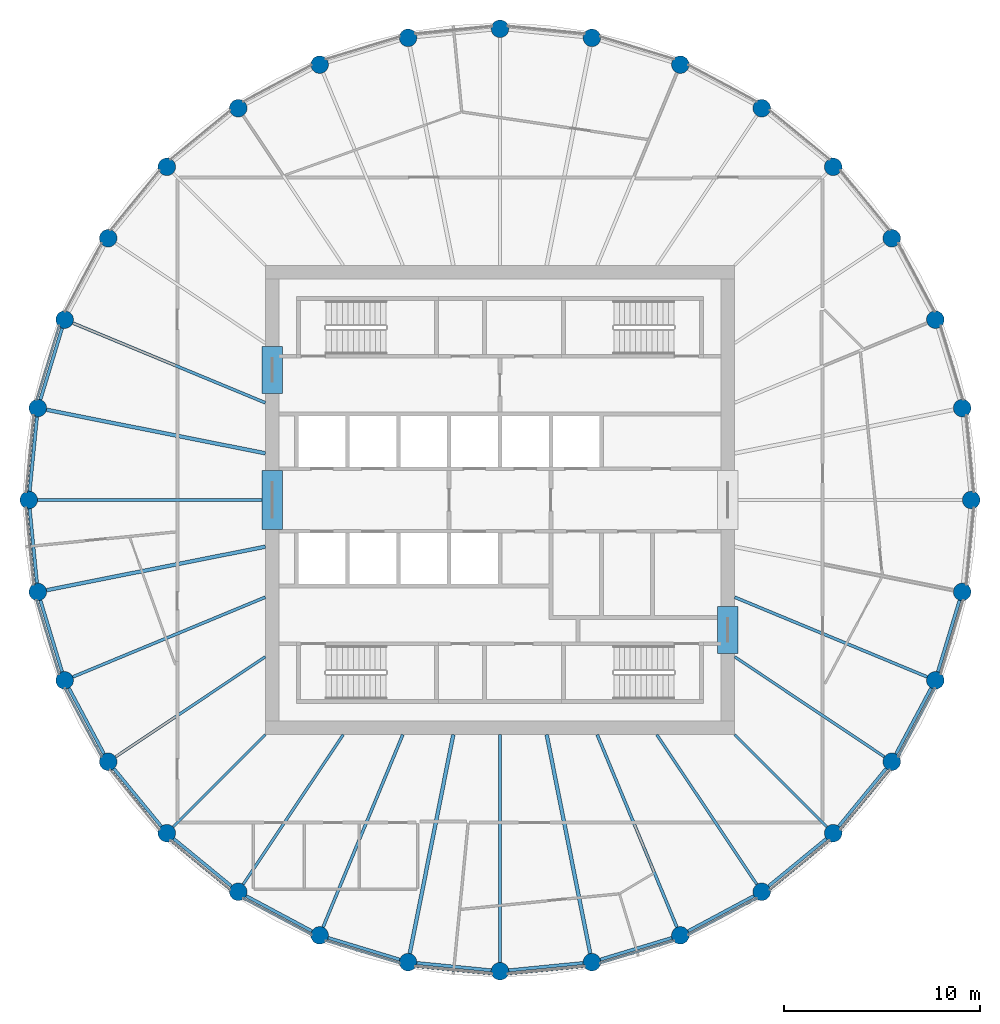
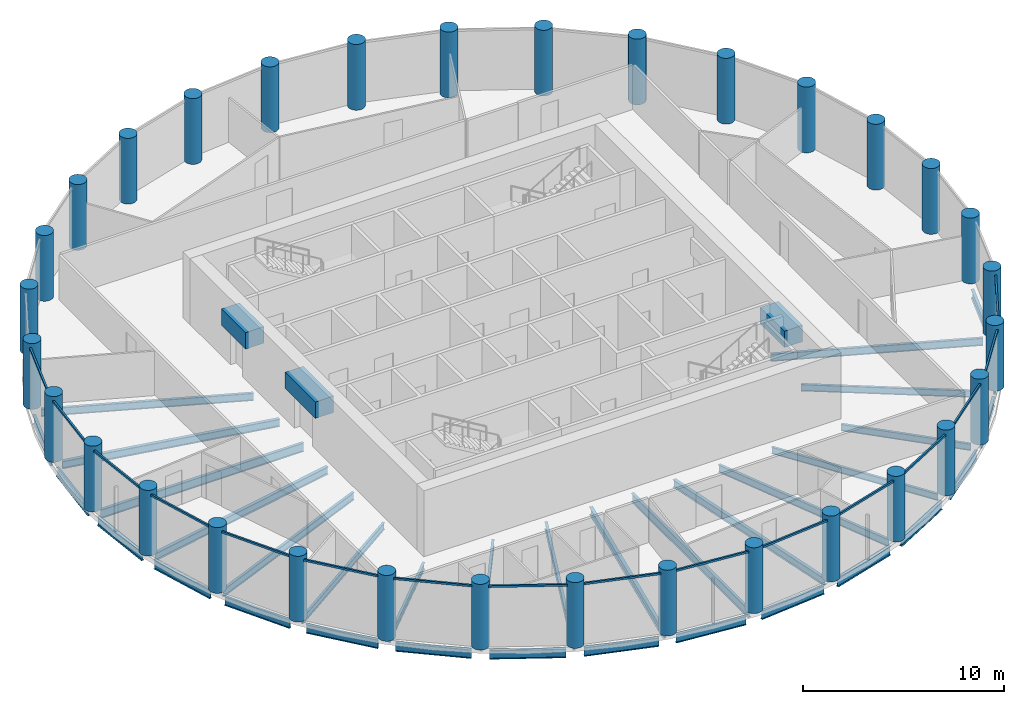
# One storey, part 1 of 8: 37 beams, 32 columns, 16 members, 16 elements without a shape of their own.
"""IFC4 building model written with IfcOpenShell, lengths in metres."""

from ifc_helpers import new_model, si_unit, direction, frame, origin, origin_2d, place, context, subcontext, project, spatial, rectangle, circle, i_section, extrude, material, material_profile, profile_set, type_object, element, aggregate, save


model = new_model("IFC4")

# Units and contexts
model_context = context("Model", 3, precision=1e-05, world=origin(), true_north=direction((0.0, 1.0)))
body_context = subcontext(model_context, "Body", "Model", "MODEL_VIEW")
ifc_project = project(units=[si_unit("LENGTHUNIT", "METRE"), si_unit("AREAUNIT", "SQUARE_METRE"), si_unit("VOLUMEUNIT", "CUBIC_METRE"), si_unit("PLANEANGLEUNIT", "RADIAN"), si_unit("MASSUNIT", "GRAM", prefix="KILO")], contexts=[model_context])

# Site, building, storey
site_placement = place(None, origin())
site = spatial("IfcSite", under=ifc_project, at=site_placement, CompositionType="ELEMENT")
building_placement = place(site_placement, origin())
building = spatial("IfcBuilding", under=site, at=building_placement, Name="Corvane Civic Tower", CompositionType="ELEMENT")
storey_placement = place(building_placement, frame((0.0, 0.0, 299.0)))
storey = spatial("IfcBuildingStorey", under=building, at=storey_placement, Name="L71", CompositionType="ELEMENT", Elevation=299.0)

# Columns
ifc_material_1 = material(Name="Concrete C60/75", Category="concrete")
ifc_material_profile_1 = material_profile(ifc_material_1, circle(Radius=0.449951171875, at=origin_2d()), Name="COLUMN 900")
ifc_profile_set_1 = profile_set([ifc_material_profile_1], Name="Concrete C60/75")
column_type = type_object("IfcColumnType", Name="RC COLUMN COLUMN 900", PredefinedType="COLUMN", material=ifc_profile_set_1)
for number, where, z_axis, x_axis, name in (
    (1, (0.0, 24.10009765625, 0.0), (0.0, 0.0, 1.0), (1.0, 0.0, 0.0), "COL-L71-E01"),
    (2, (4.70166015625, 23.636962890625, 0.0), (0.0, 0.0, 1.0), (1.0, 0.0, 0.0), "COL-L71-E02"),
    (3, (9.22265625, 22.265380859375, 0.0), (0.0, 0.0, 1.0), (1.0, 0.0, 0.0), "COL-L71-E03"),
    (4, (13.38916015625, 20.038330078125, 0.0), (0.0, 0.0, 1.0), (1.0, 0.0, 0.0), "COL-L71-E04"),
    (5, (17.041259765625, 17.041259765625, 0.0), (0.0, 0.0, 1.0), (1.0, 0.0, 0.0), "COL-L71-E05"),
    (6, (20.038330078125, 13.38916015625, 0.0), (0.0, 0.0, 1.0), (1.0, 0.0, 0.0), "COL-L71-E06"),
    (7, (22.265380859375, 9.22265625, 0.0), (0.0, 0.0, 1.0), (1.0, 0.0, 0.0), "COL-L71-E07"),
    (8, (23.636962890625, 4.70166015625, 0.0), (0.0, 0.0, 1.0), (1.0, 0.0, 0.0), "COL-L71-E08"),
    (9, (24.10009765625, 0.0, 0.0), (0.0, 0.0, 1.0), (1.0, 0.0, 0.0), "COL-L71-E09"),
    (10, (23.636962890625, -4.70166015625, 0.0), (0.0, 0.0, 1.0), (1.0, 0.0, 0.0), "COL-L71-E10"),
    (11, (22.265380859375, -9.22265625, 0.0), (0.0, 0.0, 1.0), (1.0, 0.0, 0.0), "COL-L71-E11"),
    (12, (20.038330078125, -13.38916015625, 0.0), (0.0, 0.0, 1.0), (1.0, 0.0, 0.0), "COL-L71-E12"),
    (13, (17.041259765625, -17.041259765625, 0.0), (0.0, 0.0, 1.0), (1.0, 0.0, 0.0), "COL-L71-E13"),
    (14, (13.38916015625, -20.038330078125, 0.0), (0.0, 0.0, 1.0), (1.0, 0.0, 0.0), "COL-L71-E14"),
    (15, (9.22265625, -22.265380859375, 0.0), (0.0, 0.0, 1.0), (1.0, 0.0, 0.0), "COL-L71-E15"),
    (16, (4.70166015625, -23.636962890625, 0.0), (0.0, 0.0, 1.0), (1.0, 0.0, 0.0), "COL-L71-E16"),
    (17, (0.0, -24.10009765625, 0.0), (0.0, 0.0, 1.0), (1.0, 0.0, 0.0), "COL-L71-E17"),
    (18, (-4.70166015625, -23.636962890625, 0.0), (0.0, 0.0, 1.0), (1.0, 0.0, 0.0), "COL-L71-E18"),
    (19, (-9.22265625, -22.265380859375, 0.0), (0.0, 0.0, 1.0), (1.0, 0.0, 0.0), "COL-L71-E19"),
    (20, (-13.38916015625, -20.038330078125, 0.0), (0.0, 0.0, 1.0), (1.0, 0.0, 0.0), "COL-L71-E20"),
    (21, (-17.041259765625, -17.041259765625, 0.0), (0.0, 0.0, 1.0), (1.0, 0.0, 0.0), "COL-L71-E21"),
    (22, (-20.038330078125, -13.38916015625, 0.0), (0.0, 0.0, 1.0), (1.0, 0.0, 0.0), "COL-L71-E22"),
    (23, (-22.265380859375, -9.22265625, 0.0), (0.0, 0.0, 1.0), (1.0, 0.0, 0.0), "COL-L71-E23"),
    (24, (-23.636962890625, -4.70166015625, 0.0), (0.0, 0.0, 1.0), (1.0, 0.0, 0.0), "COL-L71-E24"),
    (25, (-24.10009765625, 0.0, 0.0), (0.0, 0.0, 1.0), (1.0, 0.0, 0.0), "COL-L71-E25"),
    (26, (-23.636962890625, 4.70166015625, 0.0), (0.0, 0.0, 1.0), (1.0, 0.0, 0.0), "COL-L71-E26"),
    (27, (-22.265380859375, 9.22265625, 0.0), (0.0, 0.0, 1.0), (1.0, 0.0, 0.0), "COL-L71-E27"),
    (28, (-20.038330078125, 13.38916015625, 0.0), (0.0, 0.0, 1.0), (1.0, 0.0, 0.0), "COL-L71-E28"),
    (29, (-17.041259765625, 17.041259765625, 0.0), (0.0, 0.0, 1.0), (1.0, 0.0, 0.0), "COL-L71-E29"),
    (30, (-13.38916015625, 20.038330078125, 0.0), (0.0, 0.0, 1.0), (1.0, 0.0, 0.0), "COL-L71-E30"),
    (31, (-9.22265625, 22.265380859375, 0.0), (0.0, 0.0, 1.0), (1.0, 0.0, 0.0), "COL-L71-E31"),
    (32, (-4.70166015625, 23.636962890625, 0.0), (0.0, 0.0, 1.0), (1.0, 0.0, 0.0), "COL-L71-E32"),
):
    element("IfcColumn", number, at=place(storey_placement, frame(where, z_axis=z_axis, x_axis=x_axis)), inside=storey, type_object=column_type, Name=name, PredefinedType="COLUMN", context=body_context, shape_type="SweptSolid", body=[
        extrude(circle(Radius=0.449951171875, at=origin_2d()), origin(), (0.0, 0.0, 1.0), 4.0),
    ])

# Beams
ifc_material_2 = material(Name="Concrete C40/50", Category="concrete")
ifc_material_profile_2 = material_profile(ifc_material_2, rectangle(XDim=1.050048828125, YDim=1.0, at=origin_2d()), Name="COUPLING BEAM 1050X1000")
ifc_profile_set_2 = profile_set([ifc_material_profile_2], Name="Concrete C40/50")
beam_type_1 = type_object("IfcBeamType", Name="COUPLING BEAM COUPLING BEAM 1050X1000", PredefinedType="BEAM", material=ifc_profile_set_2)
beam_1_placement = place(storey_placement, frame((-11.64990234375, -1.5, 2.60009765625), z_axis=(0.0, 1.0, 0.0), x_axis=(-1.0, 0.0, 0.0)))
element("IfcBeam", 33, at=beam_1_placement, inside=storey, type_object=beam_type_1, Name="BM-L71-cpl-CW-LW", PredefinedType="BEAM", context=body_context, shape_type="SweptSolid", body=[
    extrude(rectangle(XDim=1.050048828125, YDim=1.0, at=origin_2d()), origin(), (0.0, 0.0, 1.0), 3.0),
])
for number, where, z_axis, x_axis, name in (
    (34, (-11.64990234375, 5.449951171875, 2.60009765625), (0.0, 1.0, 0.0), (-1.0, 0.0, 0.0), "BM-L71-cpl-CW-WN"),
    (35, (11.64990234375, -7.85009765625, 2.60009765625), (0.0, 1.0, 0.0), (-1.0, 0.0, 0.0), "BM-L71-cpl-CW-ES"),
):
    element("IfcBeam", number, at=place(storey_placement, frame(where, z_axis=z_axis, x_axis=x_axis)), inside=storey, type_object=beam_type_1, Name=name, PredefinedType="BEAM", context=body_context, shape_type="SweptSolid", body=[
        extrude(rectangle(XDim=1.050048828125, YDim=1.0, at=origin_2d()), origin(), (0.0, 0.0, 1.0), 2.400146484375),
    ])
ifc_material_3 = material(Name="Steel ASTM A992 Gr 50", Category="steel")
ifc_material_profile_3 = material_profile(ifc_material_3, i_section(OverallWidth=0.165771484375, OverallDepth=0.5283203125, WebThickness=0.009765625, FlangeThickness=0.013671875, at=origin_2d()), Name="W21X50")
ifc_profile_set_3 = profile_set([ifc_material_profile_3], Name="Steel ASTM A992 Gr 50")
beam_type_2 = type_object("IfcBeamType", Name="EDGE BEAM W21X50", PredefinedType="BEAM", material=ifc_profile_set_3)
beam_2_placement = place(storey_placement, frame((23.50634765625, -5.13232421875, -0.564208984375), z_axis=(-0.290333385085, -0.95692555902, 0.0), x_axis=(0.95692555902, -0.290333385085, 0.0)))
element("IfcBeam", 36, at=beam_2_placement, inside=storey, type_object=beam_type_2, Name="BM-L71-E10", PredefinedType="BEAM", context=body_context, shape_type="SweptSolid", body=[
    extrude(i_section(OverallWidth=0.165771484375, OverallDepth=0.5283203125, WebThickness=0.009765625, FlangeThickness=0.013671875, at=origin_2d()), origin(), (0.0, 0.0, 1.0), 3.824462890625),
])
beam_3_placement = place(storey_placement, frame((22.05322265625, -9.61962890625, -0.564208984375), z_axis=(-0.471409804487, -0.881914279413, 0.0), x_axis=(0.881914279413, -0.471409804487, 0.0)))
element("IfcBeam", 37, at=beam_3_placement, inside=storey, type_object=beam_type_2, Name="BM-L71-E11", PredefinedType="BEAM", context=body_context, shape_type="SweptSolid", body=[
    extrude(i_section(OverallWidth=0.165771484375, OverallDepth=0.5283203125, WebThickness=0.009765625, FlangeThickness=0.013671875, at=origin_2d()), origin(), (0.0, 0.0, 1.0), 3.82421875),
])
for number, where, z_axis, x_axis, name in (
    (38, (19.7529296875, -13.737060546875, -0.564208984375), (-0.634408562057, -0.772997914867, 0.0), (0.772997914867, -0.634408562057, 0.0), "BM-L71-E12"),
    (39, (16.693359375, -17.32666015625, -0.564208984375), (-0.772997914867, -0.634408562057, 0.0), (0.634408562057, -0.772997914867, 0.0), "BM-L71-E13"),
):
    element("IfcBeam", number, at=place(storey_placement, frame(where, z_axis=z_axis, x_axis=x_axis)), inside=storey, type_object=beam_type_2, Name=name, PredefinedType="BEAM", context=body_context, shape_type="SweptSolid", body=[
        extrude(i_section(OverallWidth=0.165771484375, OverallDepth=0.5283203125, WebThickness=0.009765625, FlangeThickness=0.013671875, at=origin_2d()), origin(), (0.0, 0.0, 1.0), 3.824462890625),
    ])
beam_4_placement = place(storey_placement, frame((12.9921875, -20.25048828125, -0.564208984375), z_axis=(-0.881914279413, -0.471409804487, 0.0), x_axis=(0.471409804487, -0.881914279413, 0.0)))
element("IfcBeam", 40, at=beam_4_placement, inside=storey, type_object=beam_type_2, Name="BM-L71-E14", PredefinedType="BEAM", context=body_context, shape_type="SweptSolid", body=[
    extrude(i_section(OverallWidth=0.165771484375, OverallDepth=0.5283203125, WebThickness=0.009765625, FlangeThickness=0.013671875, at=origin_2d()), origin(), (0.0, 0.0, 1.0), 3.82421875),
])
for number, where, z_axis, x_axis, name in (
    (41, (8.7919921875, -22.39599609375, -0.564208984375), (-0.95692555902, -0.290333385085, 0.0), (0.290333385085, -0.95692555902, 0.0), "BM-L71-E15"),
    (42, (4.25390625, -23.68115234375, -0.564208984375), (-0.995187721162, -0.097986732007, 0.0), (0.097986732007, -0.995187721162, 0.0), "BM-L71-E16"),
    (43, (-0.44775390625, -24.055908203125, -0.564208984375), (-0.995187721162, 0.097986732007, 0.0), (-0.097986732007, -0.995187721162, 0.0), "BM-L71-E17"),
    (44, (-5.13232421875, -23.50634765625, -0.564208984375), (-0.95692555902, 0.290333385085, 0.0), (-0.290333385085, -0.95692555902, 0.0), "BM-L71-E18"),
):
    element("IfcBeam", number, at=place(storey_placement, frame(where, z_axis=z_axis, x_axis=x_axis)), inside=storey, type_object=beam_type_2, Name=name, PredefinedType="BEAM", context=body_context, shape_type="SweptSolid", body=[
        extrude(i_section(OverallWidth=0.165771484375, OverallDepth=0.5283203125, WebThickness=0.009765625, FlangeThickness=0.013671875, at=origin_2d()), origin(), (0.0, 0.0, 1.0), 3.824462890625),
    ])
beam_5_placement = place(storey_placement, frame((-9.61962890625, -22.05322265625, -0.564208984375), z_axis=(-0.881914279413, 0.471409804487, 0.0), x_axis=(-0.471409804487, -0.881914279413, 0.0)))
element("IfcBeam", 45, at=beam_5_placement, inside=storey, type_object=beam_type_2, Name="BM-L71-E19", PredefinedType="BEAM", context=body_context, shape_type="SweptSolid", body=[
    extrude(i_section(OverallWidth=0.165771484375, OverallDepth=0.5283203125, WebThickness=0.009765625, FlangeThickness=0.013671875, at=origin_2d()), origin(), (0.0, 0.0, 1.0), 3.82421875),
])
for number, where, z_axis, x_axis, name in (
    (46, (-13.737060546875, -19.7529296875, -0.564208984375), (-0.772997914867, 0.634408562057, 0.0), (-0.634408562057, -0.772997914867, 0.0), "BM-L71-E20"),
    (47, (-17.32666015625, -16.693359375, -0.564208984375), (-0.634408562057, 0.772997914867, 0.0), (-0.772997914867, -0.634408562057, 0.0), "BM-L71-E21"),
):
    element("IfcBeam", number, at=place(storey_placement, frame(where, z_axis=z_axis, x_axis=x_axis)), inside=storey, type_object=beam_type_2, Name=name, PredefinedType="BEAM", context=body_context, shape_type="SweptSolid", body=[
        extrude(i_section(OverallWidth=0.165771484375, OverallDepth=0.5283203125, WebThickness=0.009765625, FlangeThickness=0.013671875, at=origin_2d()), origin(), (0.0, 0.0, 1.0), 3.824462890625),
    ])
beam_6_placement = place(storey_placement, frame((-20.25048828125, -12.9921875, -0.564208984375), z_axis=(-0.471409804487, 0.881914279413, 0.0), x_axis=(-0.881914279413, -0.471409804487, 0.0)))
element("IfcBeam", 48, at=beam_6_placement, inside=storey, type_object=beam_type_2, Name="BM-L71-E22", PredefinedType="BEAM", context=body_context, shape_type="SweptSolid", body=[
    extrude(i_section(OverallWidth=0.165771484375, OverallDepth=0.5283203125, WebThickness=0.009765625, FlangeThickness=0.013671875, at=origin_2d()), origin(), (0.0, 0.0, 1.0), 3.82421875),
])
for number, where, z_axis, x_axis, name in (
    (49, (-22.39599609375, -8.7919921875, -0.564208984375), (-0.290333385085, 0.95692555902, 0.0), (-0.95692555902, -0.290333385085, 0.0), "BM-L71-E23"),
    (50, (-23.68115234375, -4.25390625, -0.564208984375), (-0.097986732007, 0.995187721162, 0.0), (-0.995187721162, -0.097986732007, 0.0), "BM-L71-E24"),
    (51, (-24.055908203125, 0.44775390625, -0.564208984375), (0.097986732007, 0.995187721162, 0.0), (-0.995187721162, 0.097986732007, 0.0), "BM-L71-E25"),
    (52, (-23.50634765625, 5.13232421875, -0.564208984375), (0.290333385085, 0.95692555902, 0.0), (-0.95692555902, 0.290333385085, 0.0), "BM-L71-E26"),
):
    element("IfcBeam", number, at=place(storey_placement, frame(where, z_axis=z_axis, x_axis=x_axis)), inside=storey, type_object=beam_type_2, Name=name, PredefinedType="BEAM", context=body_context, shape_type="SweptSolid", body=[
        extrude(i_section(OverallWidth=0.165771484375, OverallDepth=0.5283203125, WebThickness=0.009765625, FlangeThickness=0.013671875, at=origin_2d()), origin(), (0.0, 0.0, 1.0), 3.824462890625),
    ])
ifc_material_4 = material(Name="Steel ASTM A992 Gr 50", Category="steel")
ifc_material_profile_4 = material_profile(ifc_material_4, i_section(OverallWidth=0.140380859375, OverallDepth=0.40380859375, WebThickness=0.007080078125, FlangeThickness=0.01123046875, at=origin_2d()), Name="W16X31")
ifc_profile_set_4 = profile_set([ifc_material_profile_4], Name="Steel ASTM A992 Gr 50")
beam_type_3 = type_object("IfcBeamType", Name="FLOOR GIRDER W16X31", PredefinedType="BEAM", material=ifc_profile_set_4)
beam_7_placement = place(storey_placement, frame((12.0, -8.01806640625, -0.501953125), z_axis=(0.831471227061, -0.555567816355, 0.0), x_axis=(0.555567816355, 0.831471227061, 0.0)))
element("IfcBeam", 53, at=beam_7_placement, inside=storey, type_object=beam_type_3, Name="BM-L71-G12", PredefinedType="BEAM", context=body_context, shape_type="SweptSolid", body=[
    extrude(i_section(OverallWidth=0.140380859375, OverallDepth=0.40380859375, WebThickness=0.007080078125, FlangeThickness=0.01123046875, at=origin_2d()), origin(), (0.0, 0.0, 1.0), 9.2177734375),
])
beam_8_placement = place(storey_placement, frame((12.0, -12.0, -0.501953125), z_axis=(0.707106781187, -0.707106781187, 0.0), x_axis=(0.707106781187, 0.707106781187, 0.0)))
element("IfcBeam", 54, at=beam_8_placement, inside=storey, type_object=beam_type_3, Name="BM-L71-G13", PredefinedType="BEAM", context=body_context, shape_type="SweptSolid", body=[
    extrude(i_section(OverallWidth=0.140380859375, OverallDepth=0.40380859375, WebThickness=0.007080078125, FlangeThickness=0.01123046875, at=origin_2d()), origin(), (0.0, 0.0, 1.0), 6.679443359375),
])
for number, where, z_axis, x_axis, name in (
    (55, (8.01806640625, -12.0, -0.501953125), (0.555567816355, -0.831471227061, 0.0), (0.831471227061, 0.555567816355, 0.0), "BM-L71-G14"),
    (56, (-8.01806640625, -12.0, -0.501953125), (-0.555567816355, -0.831471227061, 0.0), (0.831471227061, -0.555567816355, 0.0), "BM-L71-G20"),
):
    element("IfcBeam", number, at=place(storey_placement, frame(where, z_axis=z_axis, x_axis=x_axis)), inside=storey, type_object=beam_type_3, Name=name, PredefinedType="BEAM", context=body_context, shape_type="SweptSolid", body=[
        extrude(i_section(OverallWidth=0.140380859375, OverallDepth=0.40380859375, WebThickness=0.007080078125, FlangeThickness=0.01123046875, at=origin_2d()), origin(), (0.0, 0.0, 1.0), 9.2177734375),
    ])
beam_9_placement = place(storey_placement, frame((-12.0, -12.0, -0.501953125), z_axis=(-0.707106781187, -0.707106781187, 0.0), x_axis=(0.707106781187, -0.707106781187, 0.0)))
element("IfcBeam", 57, at=beam_9_placement, inside=storey, type_object=beam_type_3, Name="BM-L71-G21", PredefinedType="BEAM", context=body_context, shape_type="SweptSolid", body=[
    extrude(i_section(OverallWidth=0.140380859375, OverallDepth=0.40380859375, WebThickness=0.007080078125, FlangeThickness=0.01123046875, at=origin_2d()), origin(), (0.0, 0.0, 1.0), 6.679443359375),
])
beam_10_placement = place(storey_placement, frame((-12.0, -8.01806640625, -0.501953125), z_axis=(-0.831471227061, -0.555567816355, 0.0), x_axis=(0.555567816355, -0.831471227061, 0.0)))
element("IfcBeam", 58, at=beam_10_placement, inside=storey, type_object=beam_type_3, Name="BM-L71-G22", PredefinedType="BEAM", context=body_context, shape_type="SweptSolid", body=[
    extrude(i_section(OverallWidth=0.140380859375, OverallDepth=0.40380859375, WebThickness=0.007080078125, FlangeThickness=0.01123046875, at=origin_2d()), origin(), (0.0, 0.0, 1.0), 9.2177734375),
])
ifc_material_5 = material(Name="Steel ASTM A992 Gr 50", Category="steel")
ifc_material_profile_5 = material_profile(ifc_material_5, i_section(OverallWidth=0.15283203125, OverallDepth=0.45458984375, WebThickness=0.008056640625, FlangeThickness=0.013427734375, at=origin_2d()), Name="W18X40")
ifc_profile_set_5 = profile_set([ifc_material_profile_5], Name="Steel ASTM A992 Gr 50")
beam_type_4 = type_object("IfcBeamType", Name="FLOOR GIRDER W18X40", PredefinedType="BEAM", material=ifc_profile_set_5)
for number, where, z_axis, x_axis, name in (
    (59, (12.0, -4.970458984375, -0.52734375), (0.923875048589, -0.382694257331, 0.0), (0.382694257331, 0.923875048589, 0.0), "BM-L71-G11"),
    (60, (4.970458984375, -12.0, -0.52734375), (0.382694257331, -0.923875048589, 0.0), (0.923875048589, 0.382694257331, 0.0), "BM-L71-G15"),
    (61, (-4.970458984375, -12.0, -0.52734375), (-0.382694257331, -0.923875048589, 0.0), (0.923875048589, -0.382694257331, 0.0), "BM-L71-G19"),
    (62, (-12.0, -4.970458984375, -0.52734375), (-0.923875048589, -0.382694257331, 0.0), (0.382694257331, -0.923875048589, 0.0), "BM-L71-G23"),
    (63, (-12.0, 4.970458984375, -0.52734375), (-0.923875048589, 0.382694257331, 0.0), (-0.382694257331, -0.923875048589, 0.0), "BM-L71-G27"),
):
    element("IfcBeam", number, at=place(storey_placement, frame(where, z_axis=z_axis, x_axis=x_axis)), inside=storey, type_object=beam_type_4, Name=name, PredefinedType="BEAM", context=body_context, shape_type="SweptSolid", body=[
        extrude(i_section(OverallWidth=0.15283203125, OverallDepth=0.45458984375, WebThickness=0.008056640625, FlangeThickness=0.013427734375, at=origin_2d()), origin(), (0.0, 0.0, 1.0), 10.661376953125),
    ])
ifc_material_6 = material(Name="Steel ASTM A992 Gr 50", Category="steel")
ifc_material_profile_6 = material_profile(ifc_material_6, i_section(OverallWidth=0.1904296875, OverallDepth=0.457275390625, WebThickness=0.009033203125, FlangeThickness=0.014404296875, at=origin_2d()), Name="W18X50")
ifc_profile_set_6 = profile_set([ifc_material_profile_6], Name="Steel ASTM A992 Gr 50")
beam_type_5 = type_object("IfcBeamType", Name="FLOOR GIRDER W18X50", PredefinedType="BEAM", material=ifc_profile_set_6)
for number, where, z_axis, x_axis, name in (
    (64, (2.386962890625, -12.0, -0.528564453125), (0.195079532402, -0.980787426529, 0.0), (0.980787426529, 0.195079532402, 0.0), "BM-L71-G16"),
    (65, (-2.386962890625, -12.0, -0.528564453125), (-0.195079532402, -0.980787426529, 0.0), (0.980787426529, -0.195079532402, 0.0), "BM-L71-G18"),
    (66, (-12.0, -2.386962890625, -0.528564453125), (-0.980787426529, -0.195079532402, 0.0), (0.195079532402, -0.980787426529, 0.0), "BM-L71-G24"),
    (67, (-12.0, 2.386962890625, -0.528564453125), (-0.980787426529, 0.195079532402, 0.0), (-0.195079532402, -0.980787426529, 0.0), "BM-L71-G26"),
):
    element("IfcBeam", number, at=place(storey_placement, frame(where, z_axis=z_axis, x_axis=x_axis)), inside=storey, type_object=beam_type_5, Name=name, PredefinedType="BEAM", context=body_context, shape_type="SweptSolid", body=[
        extrude(i_section(OverallWidth=0.1904296875, OverallDepth=0.457275390625, WebThickness=0.009033203125, FlangeThickness=0.014404296875, at=origin_2d()), origin(), (0.0, 0.0, 1.0), 11.414794921875),
    ])
ifc_material_7 = material(Name="Steel ASTM A992 Gr 50", Category="steel")
ifc_material_profile_7 = material_profile(ifc_material_7, i_section(OverallWidth=0.165771484375, OverallDepth=0.5283203125, WebThickness=0.009765625, FlangeThickness=0.013671875, at=origin_2d()), Name="W21X50")
ifc_profile_set_7 = profile_set([ifc_material_profile_7], Name="Steel ASTM A992 Gr 50")
beam_type_6 = type_object("IfcBeamType", Name="FLOOR GIRDER W21X50", PredefinedType="BEAM", material=ifc_profile_set_7)
for number, where, z_axis, x_axis, name in (
    (68, (0.0, -12.0, -0.564208984375), (0.0, -1.0, 0.0), (1.0, 0.0, 0.0), "BM-L71-G17"),
    (69, (-12.0, 0.0, -0.564208984375), (-1.0, 0.0, 0.0), (0.0, -1.0, 0.0), "BM-L71-G25"),
):
    element("IfcBeam", number, at=place(storey_placement, frame(where, z_axis=z_axis, x_axis=x_axis)), inside=storey, type_object=beam_type_6, Name=name, PredefinedType="BEAM", context=body_context, shape_type="SweptSolid", body=[
        extrude(i_section(OverallWidth=0.165771484375, OverallDepth=0.5283203125, WebThickness=0.009765625, FlangeThickness=0.013671875, at=origin_2d()), origin(), (0.0, 0.0, 1.0), 11.64990234375),
    ])

# Curtain wall, member
ifc_material_8 = material(Name="Anodised aluminium bronze", Category="aluminium")
curtain_wall_type = type_object("IfcCurtainWallType", Name="TOWER CW-T3 STICK CURTAIN WALL", PredefinedType="NOTDEFINED", material=ifc_material_8)
curtain_wall_1_placement = place(storey_placement, origin())
curtain_wall_1 = element("IfcCurtainWall", 70, at=curtain_wall_1_placement, inside=storey, type_object=curtain_wall_type, Name="Curtain wall CW-T3 L71 bay 11", PredefinedType="NOTDEFINED")
ifc_material_9 = material(Name="Anodised aluminium bronze", Category="aluminium")
ifc_material_profile_8 = material_profile(ifc_material_9, rectangle(XDim=0.10009765625, YDim=0.1201171875, at=origin_2d()), Name="TOWER CW-T3 TRANSOM 100x120")
ifc_profile_set_8 = profile_set([ifc_material_profile_8], Name="Anodised aluminium bronze")
member_type = type_object("IfcMemberType", Name="TOWER CW-T3 TRANSOM 100x120", PredefinedType="USERDEFINED", material=ifc_profile_set_8)
member_1_placement = place(storey_placement, frame((22.2431640625, -9.644775390625, 3.68994140625), z_axis=(-0.471468241052, -0.881883040816, 0.0), x_axis=(0.881883040816, -0.471468241052, 0.0)))
member_1 = element("IfcMember", 71, at=member_1_placement, type_object=member_type, Name="Transom CW-T3 L71 11.1", ObjectType="TRANSOM", PredefinedType="USERDEFINED", context=body_context, shape_type="SweptSolid", body=[
    extrude(rectangle(XDim=0.10009765625, YDim=0.1201171875, at=origin_2d()), origin(), (0.0, 0.0, 1.0), 3.958740234375),
])
aggregate(curtain_wall_1, [member_1])

curtain_wall_2_placement = place(storey_placement, origin())
curtain_wall_2 = element("IfcCurtainWall", 72, at=curtain_wall_2_placement, inside=storey, type_object=curtain_wall_type, Name="Curtain wall CW-T3 L71 bay 12", PredefinedType="NOTDEFINED")
member_2_placement = place(storey_placement, frame((19.93408203125, -13.798828125, 3.68994140625), z_axis=(-0.634415838373, -0.772991943051, 0.0), x_axis=(0.772991943051, -0.634415838373, 0.0)))
member_2 = element("IfcMember", 73, at=member_2_placement, type_object=member_type, Name="Transom CW-T3 L71 12.1", ObjectType="TRANSOM", PredefinedType="USERDEFINED", context=body_context, shape_type="SweptSolid", body=[
    extrude(rectangle(XDim=0.10009765625, YDim=0.1201171875, at=origin_2d()), origin(), (0.0, 0.0, 1.0), 3.958740234375),
])
aggregate(curtain_wall_2, [member_2])

curtain_wall_3_placement = place(storey_placement, origin())
curtain_wall_3 = element("IfcCurtainWall", 74, at=curtain_wall_3_placement, inside=storey, type_object=curtain_wall_type, Name="Curtain wall CW-T3 L71 bay 13", PredefinedType="NOTDEFINED")
member_3_placement = place(storey_placement, frame((16.85888671875, -17.422607421875, 3.68994140625), z_axis=(-0.772991943051, -0.634415838373, 0.0), x_axis=(0.634415838373, -0.772991943051, 0.0)))
member_3 = element("IfcMember", 75, at=member_3_placement, type_object=member_type, Name="Transom CW-T3 L71 13.1", ObjectType="TRANSOM", PredefinedType="USERDEFINED", context=body_context, shape_type="SweptSolid", body=[
    extrude(rectangle(XDim=0.10009765625, YDim=0.1201171875, at=origin_2d()), origin(), (0.0, 0.0, 1.0), 3.958740234375),
])
aggregate(curtain_wall_3, [member_3])

curtain_wall_4_placement = place(storey_placement, origin())
curtain_wall_4 = element("IfcCurtainWall", 76, at=curtain_wall_4_placement, inside=storey, type_object=curtain_wall_type, Name="Curtain wall CW-T3 L71 bay 14", PredefinedType="NOTDEFINED")
member_4_placement = place(storey_placement, frame((13.135986328125, -20.376708984375, 3.68994140625), z_axis=(-0.881883040816, -0.471468241052, 0.0), x_axis=(0.471468241052, -0.881883040816, 0.0)))
member_4 = element("IfcMember", 77, at=member_4_placement, type_object=member_type, Name="Transom CW-T3 L71 14.1", ObjectType="TRANSOM", PredefinedType="USERDEFINED", context=body_context, shape_type="SweptSolid", body=[
    extrude(rectangle(XDim=0.10009765625, YDim=0.1201171875, at=origin_2d()), origin(), (0.0, 0.0, 1.0), 3.958740234375),
])
aggregate(curtain_wall_4, [member_4])

curtain_wall_5_placement = place(storey_placement, origin())
curtain_wall_5 = element("IfcCurtainWall", 78, at=curtain_wall_5_placement, inside=storey, type_object=curtain_wall_type, Name="Curtain wall CW-T3 L71 bay 15", PredefinedType="NOTDEFINED")
member_5_placement = place(storey_placement, frame((8.908447265625, -22.548095703125, 3.68994140625), z_axis=(-0.956946054205, -0.290265825309, 0.0), x_axis=(0.290265825309, -0.956946054205, 0.0)))
member_5 = element("IfcMember", 79, at=member_5_placement, type_object=member_type, Name="Transom CW-T3 L71 15.1", ObjectType="TRANSOM", PredefinedType="USERDEFINED", context=body_context, shape_type="SweptSolid", body=[
    extrude(rectangle(XDim=0.10009765625, YDim=0.1201171875, at=origin_2d()), origin(), (0.0, 0.0, 1.0), 3.958984375),
])
aggregate(curtain_wall_5, [member_5])

curtain_wall_6_placement = place(storey_placement, origin())
curtain_wall_6 = element("IfcCurtainWall", 80, at=curtain_wall_6_placement, inside=storey, type_object=curtain_wall_type, Name="Curtain wall CW-T3 L71 bay 16", PredefinedType="NOTDEFINED")
member_6_placement = place(storey_placement, frame((4.338134765625, -23.852783203125, 3.68994140625), z_axis=(-0.995186866683, -0.097995409999, 0.0), x_axis=(0.097995409999, -0.995186866683, 0.0)))
member_6 = element("IfcMember", 81, at=member_6_placement, type_object=member_type, Name="Transom CW-T3 L71 16.1", ObjectType="TRANSOM", PredefinedType="USERDEFINED", context=body_context, shape_type="SweptSolid", body=[
    extrude(rectangle(XDim=0.10009765625, YDim=0.1201171875, at=origin_2d()), origin(), (0.0, 0.0, 1.0), 3.958740234375),
])
aggregate(curtain_wall_6, [member_6])

curtain_wall_7_placement = place(storey_placement, origin())
curtain_wall_7 = element("IfcCurtainWall", 82, at=curtain_wall_7_placement, inside=storey, type_object=curtain_wall_type, Name="Curtain wall CW-T3 L71 bay 17", PredefinedType="NOTDEFINED")
member_7_placement = place(storey_placement, frame((-0.3984375, -24.24072265625, 3.68994140625), z_axis=(-0.995186866683, 0.097995409999, 0.0), x_axis=(-0.097995409999, -0.995186866683, 0.0)))
member_7 = element("IfcMember", 83, at=member_7_placement, type_object=member_type, Name="Transom CW-T3 L71 17.1", ObjectType="TRANSOM", PredefinedType="USERDEFINED", context=body_context, shape_type="SweptSolid", body=[
    extrude(rectangle(XDim=0.10009765625, YDim=0.1201171875, at=origin_2d()), origin(), (0.0, 0.0, 1.0), 3.958740234375),
])
aggregate(curtain_wall_7, [member_7])

curtain_wall_8_placement = place(storey_placement, origin())
curtain_wall_8 = element("IfcCurtainWall", 84, at=curtain_wall_8_placement, inside=storey, type_object=curtain_wall_type, Name="Curtain wall CW-T3 L71 bay 18", PredefinedType="NOTDEFINED")
member_8_placement = place(storey_placement, frame((-5.119873046875, -23.697265625, 3.68994140625), z_axis=(-0.956946054205, 0.290265825309, 0.0), x_axis=(-0.290265825309, -0.956946054205, 0.0)))
member_8 = element("IfcMember", 85, at=member_8_placement, type_object=member_type, Name="Transom CW-T3 L71 18.1", ObjectType="TRANSOM", PredefinedType="USERDEFINED", context=body_context, shape_type="SweptSolid", body=[
    extrude(rectangle(XDim=0.10009765625, YDim=0.1201171875, at=origin_2d()), origin(), (0.0, 0.0, 1.0), 3.958984375),
])
aggregate(curtain_wall_8, [member_8])

curtain_wall_9_placement = place(storey_placement, origin())
curtain_wall_9 = element("IfcCurtainWall", 86, at=curtain_wall_9_placement, inside=storey, type_object=curtain_wall_type, Name="Curtain wall CW-T3 L71 bay 19", PredefinedType="NOTDEFINED")
member_9_placement = place(storey_placement, frame((-9.644775390625, -22.2431640625, 3.68994140625), z_axis=(-0.881883040816, 0.471468241052, 0.0), x_axis=(-0.471468241052, -0.881883040816, 0.0)))
member_9 = element("IfcMember", 87, at=member_9_placement, type_object=member_type, Name="Transom CW-T3 L71 19.1", ObjectType="TRANSOM", PredefinedType="USERDEFINED", context=body_context, shape_type="SweptSolid", body=[
    extrude(rectangle(XDim=0.10009765625, YDim=0.1201171875, at=origin_2d()), origin(), (0.0, 0.0, 1.0), 3.958740234375),
])
aggregate(curtain_wall_9, [member_9])

curtain_wall_10_placement = place(storey_placement, origin())
curtain_wall_10 = element("IfcCurtainWall", 88, at=curtain_wall_10_placement, inside=storey, type_object=curtain_wall_type, Name="Curtain wall CW-T3 L71 bay 20", PredefinedType="NOTDEFINED")
member_10_placement = place(storey_placement, frame((-13.798828125, -19.93408203125, 3.68994140625), z_axis=(-0.772991943051, 0.634415838373, 0.0), x_axis=(-0.634415838373, -0.772991943051, 0.0)))
member_10 = element("IfcMember", 89, at=member_10_placement, type_object=member_type, Name="Transom CW-T3 L71 20.1", ObjectType="TRANSOM", PredefinedType="USERDEFINED", context=body_context, shape_type="SweptSolid", body=[
    extrude(rectangle(XDim=0.10009765625, YDim=0.1201171875, at=origin_2d()), origin(), (0.0, 0.0, 1.0), 3.958740234375),
])
aggregate(curtain_wall_10, [member_10])

curtain_wall_11_placement = place(storey_placement, origin())
curtain_wall_11 = element("IfcCurtainWall", 90, at=curtain_wall_11_placement, inside=storey, type_object=curtain_wall_type, Name="Curtain wall CW-T3 L71 bay 21", PredefinedType="NOTDEFINED")
member_11_placement = place(storey_placement, frame((-17.422607421875, -16.85888671875, 3.68994140625), z_axis=(-0.634415838373, 0.772991943051, 0.0), x_axis=(-0.772991943051, -0.634415838373, 0.0)))
member_11 = element("IfcMember", 91, at=member_11_placement, type_object=member_type, Name="Transom CW-T3 L71 21.1", ObjectType="TRANSOM", PredefinedType="USERDEFINED", context=body_context, shape_type="SweptSolid", body=[
    extrude(rectangle(XDim=0.10009765625, YDim=0.1201171875, at=origin_2d()), origin(), (0.0, 0.0, 1.0), 3.958740234375),
])
aggregate(curtain_wall_11, [member_11])

curtain_wall_12_placement = place(storey_placement, origin())
curtain_wall_12 = element("IfcCurtainWall", 92, at=curtain_wall_12_placement, inside=storey, type_object=curtain_wall_type, Name="Curtain wall CW-T3 L71 bay 22", PredefinedType="NOTDEFINED")
member_12_placement = place(storey_placement, frame((-20.376708984375, -13.135986328125, 3.68994140625), z_axis=(-0.471468241052, 0.881883040816, 0.0), x_axis=(-0.881883040816, -0.471468241052, 0.0)))
member_12 = element("IfcMember", 93, at=member_12_placement, type_object=member_type, Name="Transom CW-T3 L71 22.1", ObjectType="TRANSOM", PredefinedType="USERDEFINED", context=body_context, shape_type="SweptSolid", body=[
    extrude(rectangle(XDim=0.10009765625, YDim=0.1201171875, at=origin_2d()), origin(), (0.0, 0.0, 1.0), 3.958740234375),
])
aggregate(curtain_wall_12, [member_12])

curtain_wall_13_placement = place(storey_placement, origin())
curtain_wall_13 = element("IfcCurtainWall", 94, at=curtain_wall_13_placement, inside=storey, type_object=curtain_wall_type, Name="Curtain wall CW-T3 L71 bay 23", PredefinedType="NOTDEFINED")
member_13_placement = place(storey_placement, frame((-22.548095703125, -8.908447265625, 3.68994140625), z_axis=(-0.290265825309, 0.956946054205, 0.0), x_axis=(-0.956946054205, -0.290265825309, 0.0)))
member_13 = element("IfcMember", 95, at=member_13_placement, type_object=member_type, Name="Transom CW-T3 L71 23.1", ObjectType="TRANSOM", PredefinedType="USERDEFINED", context=body_context, shape_type="SweptSolid", body=[
    extrude(rectangle(XDim=0.10009765625, YDim=0.1201171875, at=origin_2d()), origin(), (0.0, 0.0, 1.0), 3.958984375),
])
aggregate(curtain_wall_13, [member_13])

curtain_wall_14_placement = place(storey_placement, origin())
curtain_wall_14 = element("IfcCurtainWall", 96, at=curtain_wall_14_placement, inside=storey, type_object=curtain_wall_type, Name="Curtain wall CW-T3 L71 bay 24", PredefinedType="NOTDEFINED")
member_14_placement = place(storey_placement, frame((-23.852783203125, -4.338134765625, 3.68994140625), z_axis=(-0.097995409999, 0.995186866683, 0.0), x_axis=(-0.995186866683, -0.097995409999, 0.0)))
member_14 = element("IfcMember", 97, at=member_14_placement, type_object=member_type, Name="Transom CW-T3 L71 24.1", ObjectType="TRANSOM", PredefinedType="USERDEFINED", context=body_context, shape_type="SweptSolid", body=[
    extrude(rectangle(XDim=0.10009765625, YDim=0.1201171875, at=origin_2d()), origin(), (0.0, 0.0, 1.0), 3.958740234375),
])
aggregate(curtain_wall_14, [member_14])

curtain_wall_15_placement = place(storey_placement, origin())
curtain_wall_15 = element("IfcCurtainWall", 98, at=curtain_wall_15_placement, inside=storey, type_object=curtain_wall_type, Name="Curtain wall CW-T3 L71 bay 25", PredefinedType="NOTDEFINED")
member_15_placement = place(storey_placement, frame((-24.24072265625, 0.3984375, 3.68994140625), z_axis=(0.097995409999, 0.995186866683, 0.0), x_axis=(-0.995186866683, 0.097995409999, 0.0)))
member_15 = element("IfcMember", 99, at=member_15_placement, type_object=member_type, Name="Transom CW-T3 L71 25.1", ObjectType="TRANSOM", PredefinedType="USERDEFINED", context=body_context, shape_type="SweptSolid", body=[
    extrude(rectangle(XDim=0.10009765625, YDim=0.1201171875, at=origin_2d()), origin(), (0.0, 0.0, 1.0), 3.958740234375),
])
aggregate(curtain_wall_15, [member_15])

curtain_wall_16_placement = place(storey_placement, origin())
curtain_wall_16 = element("IfcCurtainWall", 100, at=curtain_wall_16_placement, inside=storey, type_object=curtain_wall_type, Name="Curtain wall CW-T3 L71 bay 26", PredefinedType="NOTDEFINED")
member_16_placement = place(storey_placement, frame((-23.697265625, 5.119873046875, 3.68994140625), z_axis=(0.290265825309, 0.956946054205, 0.0), x_axis=(-0.956946054205, 0.290265825309, 0.0)))
member_16 = element("IfcMember", 101, at=member_16_placement, type_object=member_type, Name="Transom CW-T3 L71 26.1", ObjectType="TRANSOM", PredefinedType="USERDEFINED", context=body_context, shape_type="SweptSolid", body=[
    extrude(rectangle(XDim=0.10009765625, YDim=0.1201171875, at=origin_2d()), origin(), (0.0, 0.0, 1.0), 3.958984375),
])
aggregate(curtain_wall_16, [member_16])

save(model, "model.ifc")
